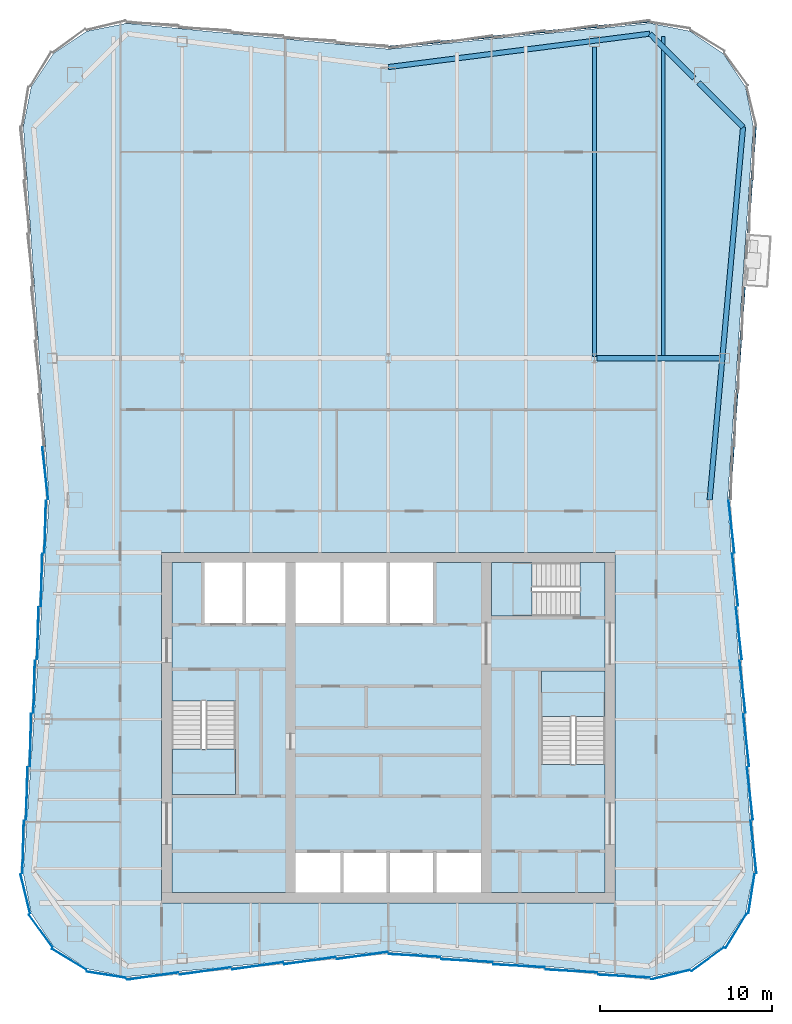
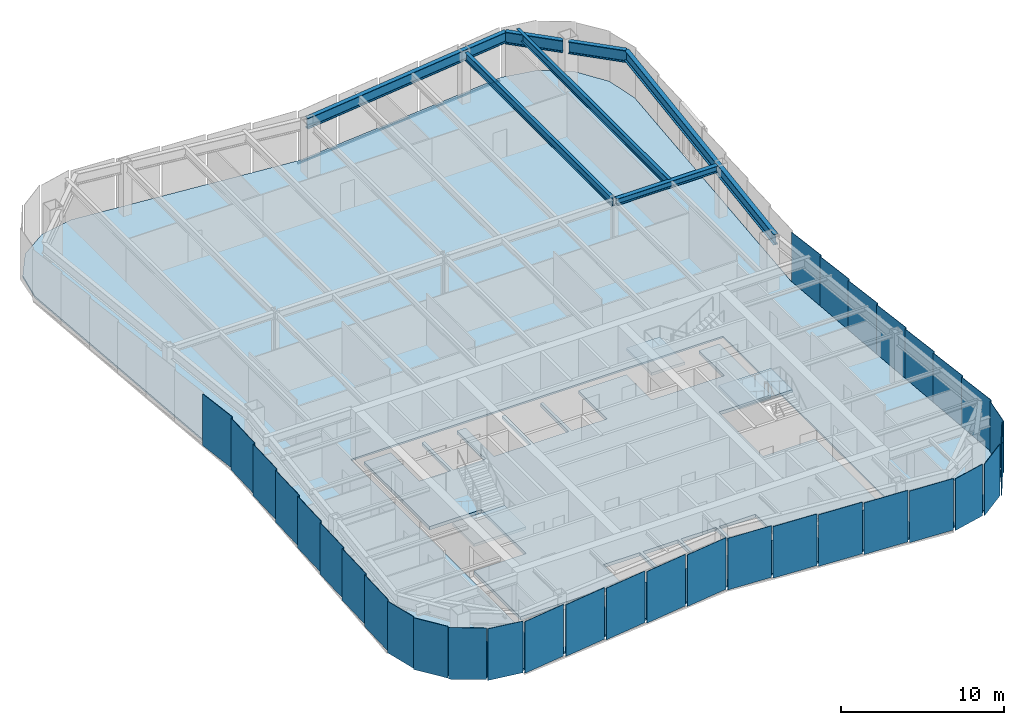
# One storey, part 4 of 10: 33 plates, 7 beams, 5 slabs, 3 members, 9 elements without a shape of their own.
"""IFC4 building model written with IfcOpenShell, lengths in metres."""

from ifc_helpers import new_model, si_unit, direction, frame, origin, origin_2d, place, context, subcontext, project, spatial, polyline, rectangle, i_section, outline, extrude, material, layer, layer_set, material_profile, profile_set, type_object, element, aggregate, save


model = new_model("IFC4")

# Units and contexts
model_context = context("Model", 3, precision=1e-05, world=origin(), true_north=direction((0.0, 1.0)))
body_context = subcontext(model_context, "Body", "Model", "MODEL_VIEW")
ifc_project = project(units=[si_unit("LENGTHUNIT", "METRE"), si_unit("AREAUNIT", "SQUARE_METRE"), si_unit("VOLUMEUNIT", "CUBIC_METRE"), si_unit("PLANEANGLEUNIT", "RADIAN"), si_unit("MASSUNIT", "GRAM", prefix="KILO")], contexts=[model_context])

# Site, building, storey
site_placement = place(None, origin())
site = spatial("IfcSite", under=ifc_project, at=site_placement, CompositionType="ELEMENT")
building_placement = place(site_placement, origin())
building = spatial("IfcBuilding", under=site, at=building_placement, Name="Verdant Reach Tower", CompositionType="ELEMENT")
storey_placement = place(building_placement, frame((0.0, 0.0, 322.0)))
storey = spatial("IfcBuildingStorey", under=building, at=storey_placement, Name="L74", CompositionType="ELEMENT", Elevation=322.0)

# Curtain wall, members
ifc_material_1 = material(Name="Anodised aluminium", Category="aluminium")
curtain_wall_type = type_object("IfcCurtainWallType", Name="EN-CW SYSTEM Z5", PredefinedType="NOTDEFINED", material=ifc_material_1)
curtain_wall_1_placement = place(storey_placement, origin())
curtain_wall_1 = element("IfcCurtainWall", 1, at=curtain_wall_1_placement, inside=storey, type_object=curtain_wall_type, Name="Curtain wall east, L74", PredefinedType="NOTDEFINED")
ifc_material_profile_1 = material_profile(ifc_material_1, rectangle(XDim=0.10009765625, YDim=0.1298828125, at=origin_2d()), Name="Transom 130x100")
ifc_profile_set_1 = profile_set([ifc_material_profile_1], Name="Anodised aluminium")
member_type = type_object("IfcMemberType", Name="EN-TRANSOM Z5", PredefinedType="USERDEFINED", material=ifc_profile_set_1)
member_1_placement = place(storey_placement, frame((19.867431640625, 41.284912109375, -0.284912109375), z_axis=(0.068823748892, 0.997628834582, 0.0), x_axis=(-0.997628834582, 0.068823748892, 0.0)))
member_1 = element("IfcMember", 2, at=member_1_placement, type_object=member_type, Name="Transom east face part 2 1.1, L74", ObjectType="TRANSOM", PredefinedType="USERDEFINED", context=body_context, shape_type="SweptSolid", body=[
    extrude(rectangle(XDim=0.10009765625, YDim=0.1298828125, at=origin_2d()), origin(), (0.0, 0.0, 1.0), 12.380126953125),
])
member_2_placement = place(storey_placement, frame((20.9384765625, 56.812744140625, -0.284912109375), z_axis=(0.068644672033, 0.997641172467, 0.0), x_axis=(-0.997641172467, 0.068644672033, 0.0)))
member_2 = element("IfcMember", 3, at=member_2_placement, type_object=member_type, Name="Transom east face part 2 2.1, L74", ObjectType="TRANSOM", PredefinedType="USERDEFINED", context=body_context, shape_type="SweptSolid", body=[
    extrude(rectangle(XDim=0.10009765625, YDim=0.1298828125, at=origin_2d()), origin(), (0.0, 0.0, 1.0), 6.17431640625),
])

# Curtain wall, member
curtain_wall_2_placement = place(storey_placement, origin())
curtain_wall_2 = element("IfcCurtainWall", 4, at=curtain_wall_2_placement, inside=storey, type_object=curtain_wall_type, Name="Curtain wall north, L74", PredefinedType="NOTDEFINED")
member_3_placement = place(storey_placement, frame((15.220703125, 69.111328125, -0.284912109375), z_axis=(-0.99520229006, -0.097838652171, 0.0), x_axis=(0.097838652171, -0.99520229006, 0.0)))
member_3 = element("IfcMember", 5, at=member_3_placement, type_object=member_type, Name="Transom north face part 1 1.1, L74", ObjectType="TRANSOM", PredefinedType="USERDEFINED", context=body_context, shape_type="SweptSolid", body=[
    extrude(rectangle(XDim=0.10009765625, YDim=0.1298828125, at=origin_2d()), origin(), (0.0, 0.0, 1.0), 15.259033203125),
])
aggregate(curtain_wall_2, [member_3])

# Beams
ifc_material_2 = material(Name="Steel S355", Category="steel")
ifc_material_profile_2 = material_profile(ifc_material_2, i_section(OverallWidth=0.300048828125, OverallDepth=0.489990234375, WebThickness=0.011962890625, FlangeThickness=0.02294921875, FilletRadius=0.027099609375, at=origin_2d()), Name="HEA 500")
ifc_profile_set_2 = profile_set([ifc_material_profile_2], Name="Steel S355")
beam_type_1 = type_object("IfcBeamType", Name="ST-BEAM-HEA500", PredefinedType="BEAM", material=ifc_profile_set_2)
beam_1_placement = place(storey_placement, frame((12.153076171875, 49.5, 3.625), z_axis=(1.0, 0.0, 0.0), x_axis=(0.0, 1.0, 0.0)))
element("IfcBeam", 6, at=beam_1_placement, inside=storey, type_object=beam_type_1, Name="Row girder, L74", PredefinedType="BEAM", context=body_context, shape_type="SweptSolid", body=[
    extrude(i_section(OverallWidth=0.300048828125, OverallDepth=0.489990234375, WebThickness=0.011962890625, FlangeThickness=0.02294921875, FilletRadius=0.027099609375, at=origin_2d()), origin(), (0.0, 0.0, 1.0), 7.115966796875),
])
ifc_material_profile_3 = material_profile(ifc_material_2, i_section(OverallWidth=0.219970703125, OverallDepth=0.60009765625, WebThickness=0.011962890625, FlangeThickness=0.01904296875, FilletRadius=0.02392578125, at=origin_2d()), Name="IPE 600")
ifc_profile_set_3 = profile_set([ifc_material_profile_3], Name="Steel S355")
beam_type_2 = type_object("IfcBeamType", Name="ST-JOIST-IPE600", PredefinedType="JOIST", material=ifc_profile_set_3)
beam_2_placement = place(storey_placement, frame((12.0, 49.60009765625, 3.570068359375), z_axis=(0.0, 1.0, 0.0), x_axis=(-1.0, 0.0, 0.0)))
element("IfcBeam", 7, at=beam_2_placement, inside=storey, type_object=beam_type_2, Name="Floor joist, L74", PredefinedType="JOIST", context=body_context, shape_type="SweptSolid", body=[
    extrude(i_section(OverallWidth=0.219970703125, OverallDepth=0.60009765625, WebThickness=0.011962890625, FlangeThickness=0.01904296875, FilletRadius=0.02392578125, at=origin_2d()), origin(), (0.0, 0.0, 1.0), 18.0302734375),
])
beam_3_placement = place(storey_placement, frame((16.0, 49.60009765625, 3.570068359375), z_axis=(0.0, 1.0, 0.0), x_axis=(-1.0, 0.0, 0.0)))
element("IfcBeam", 8, at=beam_3_placement, inside=storey, type_object=beam_type_2, Name="Floor joist, L74", PredefinedType="JOIST", context=body_context, shape_type="SweptSolid", body=[
    extrude(i_section(OverallWidth=0.219970703125, OverallDepth=0.60009765625, WebThickness=0.011962890625, FlangeThickness=0.01904296875, FilletRadius=0.02392578125, at=origin_2d()), origin(), (0.0, 0.0, 1.0), 18.638916015625),
])
ifc_material_profile_4 = material_profile(ifc_material_2, i_section(OverallWidth=0.300048828125, OverallDepth=0.800048828125, WebThickness=0.017578125, FlangeThickness=0.032958984375, FilletRadius=0.030029296875, at=origin_2d()), Name="HEB 800")
ifc_profile_set_4 = profile_set([ifc_material_profile_4], Name="Steel S355")
beam_type_3 = type_object("IfcBeamType", Name="ST-SPANDREL-HEB800", PredefinedType="SPANDREL", material=ifc_profile_set_4)
beam_4_placement = place(storey_placement, frame((0.0, 66.449951171875, 3.469970703125), z_axis=(0.991938889669, 0.126717162063, 0.0), x_axis=(-0.126717162063, 0.991938889669, 0.0)))
element("IfcBeam", 9, at=beam_4_placement, inside=storey, type_object=beam_type_3, Name="Edge beam, L74", PredefinedType="SPANDREL", context=body_context, shape_type="SweptSolid", body=[
    extrude(i_section(OverallWidth=0.300048828125, OverallDepth=0.800048828125, WebThickness=0.017578125, FlangeThickness=0.032958984375, FilletRadius=0.030029296875, at=origin_2d()), origin(), (0.0, 0.0, 1.0), 15.343994140625),
])
beam_5_placement = place(storey_placement, frame((20.64599609375, 62.96142578125, 3.469970703125), z_axis=(-0.089274399498, -0.996007069048, 0.0), x_axis=(0.996007069048, -0.089274399498, 0.0)))
element("IfcBeam", 10, at=beam_5_placement, inside=storey, type_object=beam_type_3, Name="Edge beam, L74", PredefinedType="SPANDREL", context=body_context, shape_type="SweptSolid", body=[
    extrude(i_section(OverallWidth=0.300048828125, OverallDepth=0.800048828125, WebThickness=0.017578125, FlangeThickness=0.032958984375, FilletRadius=0.030029296875, at=origin_2d()), origin(), (0.0, 0.0, 1.0), 21.798583984375),
])
ifc_material_profile_5 = material_profile(ifc_material_2, i_section(OverallWidth=0.302001953125, OverallDepth=0.909912109375, WebThickness=0.02099609375, FlangeThickness=0.0400390625, FilletRadius=0.030029296875, at=origin_2d()), Name="HEM 900")
ifc_profile_set_5 = profile_set([ifc_material_profile_5], Name="Steel S355")
beam_type_4 = type_object("IfcBeamType", Name="ST-SPANDREL-HEM900", PredefinedType="SPANDREL", material=ifc_profile_set_5)
beam_6_placement = place(storey_placement, frame((15.22021484375, 68.394287109375, 3.4150390625), z_axis=(0.706638520854, -0.707574731632, 0.0), x_axis=(0.707574731632, 0.706638520854, 0.0)))
element("IfcBeam", 11, at=beam_6_placement, inside=storey, type_object=beam_type_4, Name="Edge beam, L74", PredefinedType="SPANDREL", context=body_context, shape_type="SweptSolid", body=[
    extrude(i_section(OverallWidth=0.302001953125, OverallDepth=0.909912109375, WebThickness=0.02099609375, FlangeThickness=0.0400390625, FilletRadius=0.030029296875, at=origin_2d()), origin(), (0.0, 0.0, 1.0), 3.65087890625),
])
beam_7_placement = place(storey_placement, frame((18.060791015625, 65.550048828125, 3.4150390625), z_axis=(0.706639493403, -0.707573760369, 0.0), x_axis=(0.707573760369, 0.706639493403, 0.0)))
element("IfcBeam", 12, at=beam_7_placement, inside=storey, type_object=beam_type_4, Name="Edge beam, L74", PredefinedType="SPANDREL", context=body_context, shape_type="SweptSolid", body=[
    extrude(i_section(OverallWidth=0.302001953125, OverallDepth=0.909912109375, WebThickness=0.02099609375, FlangeThickness=0.0400390625, FilletRadius=0.030029296875, at=origin_2d()), origin(), (0.0, 0.0, 1.0), 3.658447265625),
])

# Stair, slab
ifc_material_3 = material(Name="Concrete C40/50", Category="concrete")
stair_type = type_object("IfcStairType", Name="CO-STAIR", PredefinedType="HALF_TURN_STAIR", material=ifc_material_3)
stair_1_placement = place(storey_placement, origin())
stair_1 = element("IfcStair", 13, at=stair_1_placement, inside=storey, type_object=stair_type, Name="L74 Exit stair 1", PredefinedType="HALF_TURN_STAIR")
ifc_layer_1 = layer(ifc_material_3, 0.199951171875)
ifc_layer_set_1 = layer_set([ifc_layer_1], Name="CO-STAIR-LANDING")
slab_type_1 = type_object("IfcSlabType", Name="CO-STAIR-LANDING", PredefinedType="LANDING", material=ifc_layer_set_1)
slab_1_placement = place(storey_placement, frame((0.0, 0.0, 1.800048828125)))
slab_1 = element("IfcSlab", 14, at=slab_1_placement, type_object=slab_type_1, Name="ST-1 landing 1", PredefinedType="LANDING", context=body_context, shape_type="SweptSolid", body=[
    extrude(outline(polyline([(-12.60009765625, 26.75), (-12.60009765625, 24.10009765625), (-8.89990234375, 24.10009765625), (-8.89990234375, 26.75), (-12.60009765625, 26.75)])), origin(), (0.0, 0.0, 1.0), 0.199951171875),
])
aggregate(stair_1, [slab_1])

stair_2_placement = place(storey_placement, origin())
stair_2 = element("IfcStair", 15, at=stair_2_placement, inside=storey, type_object=stair_type, Name="L74 Exit stair 2", PredefinedType="HALF_TURN_STAIR")
slab_2_placement = place(storey_placement, frame((0.0, 0.0, 1.800048828125)))
slab_2 = element("IfcSlab", 16, at=slab_2_placement, type_object=slab_type_1, Name="ST-2 landing 1", PredefinedType="LANDING", context=body_context, shape_type="SweptSolid", body=[
    extrude(outline(polyline([(12.60009765625, 28.64990234375), (12.60009765625, 31.300048828125), (8.89990234375, 31.300048828125), (8.89990234375, 28.64990234375), (12.60009765625, 28.64990234375)])), origin(), (0.0, 0.0, 1.0), 0.199951171875),
])
aggregate(stair_2, [slab_2])

stair_3_placement = place(storey_placement, origin())
stair_3 = element("IfcStair", 17, at=stair_3_placement, inside=storey, type_object=stair_type, Name="L74 Exit stair 3", PredefinedType="HALF_TURN_STAIR")
slab_3_placement = place(storey_placement, frame((0.0, 0.0, 1.800048828125)))
slab_3 = element("IfcSlab", 18, at=slab_3_placement, type_object=slab_type_1, Name="ST-3 landing 1", PredefinedType="LANDING", context=body_context, shape_type="SweptSolid", body=[
    extrude(outline(polyline([(8.35009765625, 37.60009765625), (6.0, 37.60009765625), (6.0, 34.5), (8.35009765625, 34.5), (8.35009765625, 37.60009765625)])), origin(), (0.0, 0.0, 1.0), 0.199951171875),
])
aggregate(stair_3, [slab_3])

# Curtain wall, plates
curtain_wall_3_placement = place(storey_placement, origin())
curtain_wall_3 = element("IfcCurtainWall", 19, at=curtain_wall_3_placement, inside=storey, type_object=curtain_wall_type, Name="Curtain wall south-east corner, L74", PredefinedType="NOTDEFINED")
ifc_material_4 = material(Name="Tinted glass with champagne spandrel", Category="glass")
ifc_layer_2 = layer(ifc_material_4, 0.031982421875)
ifc_layer_set_2 = layer_set([ifc_layer_2], Name="EN-PANEL CHAMPAGNE")
plate_type_1 = type_object("IfcPlateType", Name="EN-PANEL CHAMPAGNE", PredefinedType="CURTAIN_PANEL", material=ifc_layer_set_2)
plate_1_placement = place(storey_placement, frame((16.4228515625, 13.61767578125, -0.219970703125), z_axis=(0.0, 0.0, 1.0), x_axis=(0.971661765526, 0.236375577028, 0.0)))
plate_1 = element("IfcPlate", 20, at=plate_1_placement, type_object=plate_type_1, Name="Glass panel south-east corner 1.1, L74", PredefinedType="CURTAIN_PANEL", context=body_context, shape_type="SweptSolid", body=[
    extrude(rectangle(XDim=2.314453125, YDim=0.031982421875, at=origin_2d()), origin(), (0.0, 0.0, 1.0), 3.8701171875),
])
plate_2_placement = place(storey_placement, frame((18.58203125, 14.51318359375, -0.219970703125), z_axis=(0.0, 0.0, 1.0), x_axis=(0.807456783236, 0.58992672698, 0.0)))
plate_2 = element("IfcPlate", 21, at=plate_2_placement, type_object=plate_type_1, Name="Glass panel south-east corner 2.1, L74", PredefinedType="CURTAIN_PANEL", context=body_context, shape_type="SweptSolid", body=[
    extrude(rectangle(XDim=2.320068359375, YDim=0.031982421875, at=origin_2d()), origin(), (0.0, 0.0, 1.0), 3.8701171875),
])

# Plate
plate_3_placement = place(storey_placement, frame((20.18603515625, 36.59716796875, -0.219970703125), z_axis=(0.0, 0.0, 1.0), x_axis=(-0.110518162674, 0.993874104562, 0.0)))
plate_3 = element("IfcPlate", 22, at=plate_3_placement, type_object=plate_type_1, Name="Glass panel east face part 1 6.1, L74", PredefinedType="CURTAIN_PANEL", context=body_context, shape_type="SweptSolid", body=[
    extrude(rectangle(XDim=3.048583984375, YDim=0.031982421875, at=origin_2d()), origin(), (0.0, 0.0, 1.0), 3.8701171875),
])

plate_4_placement = place(storey_placement, frame((19.971923828125, 39.700439453125, -0.219970703125), z_axis=(0.0, 0.0, 1.0), x_axis=(-0.110605344993, 0.993864406073, 0.0)))
plate_4 = element("IfcPlate", 23, at=plate_4_placement, type_object=plate_type_1, Name="Glass panel east face part 1 7.1, L74", PredefinedType="CURTAIN_PANEL", context=body_context, shape_type="SweptSolid", body=[
    extrude(rectangle(XDim=3.04052734375, YDim=0.031982421875, at=origin_2d()), origin(), (0.0, 0.0, 1.0), 3.8701171875),
])

# Curtain wall, plates
curtain_wall_4_placement = place(storey_placement, origin())
curtain_wall_4 = element("IfcCurtainWall", 24, at=curtain_wall_4_placement, inside=storey, type_object=curtain_wall_type, Name="Curtain wall west, L74", PredefinedType="NOTDEFINED")
plate_5_placement = place(storey_placement, frame((-20.61474609375, 30.3828125, -0.219970703125), z_axis=(0.0, 0.0, 1.0), x_axis=(-0.026965318308, -0.999636369691, 0.0)))
plate_5 = element("IfcPlate", 25, at=plate_5_placement, type_object=plate_type_1, Name="Glass panel west face part 2 4.1, L74", PredefinedType="CURTAIN_PANEL", context=body_context, shape_type="SweptSolid", body=[
    extrude(rectangle(XDim=3.048583984375, YDim=0.031982421875, at=origin_2d()), origin(), (0.0, 0.0, 1.0), 3.8701171875),
])
plate_6_placement = place(storey_placement, frame((-20.8291015625, 27.27587890625, -0.219970703125), z_axis=(0.0, 0.0, 1.0), x_axis=(-0.026965318308, -0.999636369691, 0.0)))
plate_6 = element("IfcPlate", 26, at=plate_6_placement, type_object=plate_type_1, Name="Glass panel west face part 2 5.1, L74", PredefinedType="CURTAIN_PANEL", context=body_context, shape_type="SweptSolid", body=[
    extrude(rectangle(XDim=3.048583984375, YDim=0.031982421875, at=origin_2d()), origin(), (0.0, 0.0, 1.0), 3.8701171875),
])
plate_7_placement = place(storey_placement, frame((-21.043212890625, 24.168701171875, -0.219970703125), z_axis=(0.0, 0.0, 1.0), x_axis=(-0.026965318308, -0.999636369691, 0.0)))
plate_7 = element("IfcPlate", 27, at=plate_7_placement, type_object=plate_type_1, Name="Glass panel west face part 2 6.1, L74", PredefinedType="CURTAIN_PANEL", context=body_context, shape_type="SweptSolid", body=[
    extrude(rectangle(XDim=3.048583984375, YDim=0.031982421875, at=origin_2d()), origin(), (0.0, 0.0, 1.0), 3.8701171875),
])

curtain_wall_5_placement = place(storey_placement, origin())
curtain_wall_5 = element("IfcCurtainWall", 28, at=curtain_wall_5_placement, inside=storey, type_object=curtain_wall_type, Name="Curtain wall south-west corner, L74", PredefinedType="NOTDEFINED")
plate_8_placement = place(storey_placement, frame((-18.58203125, 14.51318359375, -0.219970703125), z_axis=(0.0, 0.0, 1.0), x_axis=(0.853988714885, -0.520291528711, 0.0)))
plate_8 = element("IfcPlate", 29, at=plate_8_placement, type_object=plate_type_1, Name="Glass panel south-west corner 3.1, L74", PredefinedType="CURTAIN_PANEL", context=body_context, shape_type="SweptSolid", body=[
    extrude(rectangle(XDim=2.320068359375, YDim=0.031982421875, at=origin_2d()), origin(), (0.0, 0.0, 1.0), 3.8701171875),
])
plate_9_placement = place(storey_placement, frame((-16.4228515625, 13.61767578125, -0.219970703125), z_axis=(0.0, 0.0, 1.0), x_axis=(0.988033409454, -0.154240013621, 0.0)))
plate_9 = element("IfcPlate", 30, at=plate_9_placement, type_object=plate_type_1, Name="Glass panel south-west corner 4.1, L74", PredefinedType="CURTAIN_PANEL", context=body_context, shape_type="SweptSolid", body=[
    extrude(rectangle(XDim=2.314453125, YDim=0.031982421875, at=origin_2d()), origin(), (0.0, 0.0, 1.0), 3.8701171875),
])

curtain_wall_6_placement = place(storey_placement, origin())
curtain_wall_6 = element("IfcCurtainWall", 31, at=curtain_wall_6_placement, inside=storey, type_object=curtain_wall_type, Name="Curtain wall south, L74", PredefinedType="NOTDEFINED")
plate_10_placement = place(storey_placement, frame((-13.72216796875, 13.535400390625, -0.219970703125), z_axis=(0.0, 0.0, 1.0), x_axis=(0.990281521639, 0.139077345032, 0.0)))
plate_10 = element("IfcPlate", 32, at=plate_10_placement, type_object=plate_type_1, Name="Glass panel south face part 1 1.1, L74", PredefinedType="CURTAIN_PANEL", context=body_context, shape_type="SweptSolid", body=[
    extrude(rectangle(XDim=3.015625, YDim=0.031982421875, at=origin_2d()), origin(), (0.0, 0.0, 1.0), 3.8701171875),
])
plate_11_placement = place(storey_placement, frame((-10.663818359375, 13.83544921875, -0.219970703125), z_axis=(0.0, 0.0, 1.0), x_axis=(0.990225318365, 0.139476947446, 0.0)))
plate_11 = element("IfcPlate", 33, at=plate_11_placement, type_object=plate_type_1, Name="Glass panel south face part 1 2.1, L74", PredefinedType="CURTAIN_PANEL", context=body_context, shape_type="SweptSolid", body=[
    extrude(rectangle(XDim=2.998779296875, YDim=0.031982421875, at=origin_2d()), origin(), (0.0, 0.0, 1.0), 3.8701171875),
])
plate_12_placement = place(storey_placement, frame((4.563720703125, 14.435546875, -0.219970703125), z_axis=(0.0, 0.0, 1.0), x_axis=(0.998423588956, -0.056127863106, 0.0)))
plate_12 = element("IfcPlate", 34, at=plate_12_placement, type_object=plate_type_1, Name="Glass panel south face part 2 2.1, L74", PredefinedType="CURTAIN_PANEL", context=body_context, shape_type="SweptSolid", body=[
    extrude(rectangle(XDim=2.998779296875, YDim=0.031982421875, at=origin_2d()), origin(), (0.0, 0.0, 1.0), 3.8701171875),
])
plate_13_placement = place(storey_placement, frame((7.61376953125, 14.135498046875, -0.219970703125), z_axis=(0.0, 0.0, 1.0), x_axis=(0.998423588956, -0.056127863106, 0.0)))
plate_13 = element("IfcPlate", 35, at=plate_13_placement, type_object=plate_type_1, Name="Glass panel south face part 2 3.1, L74", PredefinedType="CURTAIN_PANEL", context=body_context, shape_type="SweptSolid", body=[
    extrude(rectangle(XDim=2.998779296875, YDim=0.031982421875, at=origin_2d()), origin(), (0.0, 0.0, 1.0), 3.8701171875),
])

# Plate
ifc_material_5 = material(Name="Tinted glass with copper spandrel", Category="glass")
ifc_layer_3 = layer(ifc_material_5, 0.031982421875)
ifc_layer_set_3 = layer_set([ifc_layer_3], Name="EN-PANEL COPPER")
plate_type_2 = type_object("IfcPlateType", Name="EN-PANEL COPPER", PredefinedType="CURTAIN_PANEL", material=ifc_layer_set_3)
plate_14_placement = place(storey_placement, frame((20.23681640625, 16.16796875, -0.219970703125), z_axis=(0.0, 0.0, 1.0), x_axis=(0.520291528711, 0.853988714885, 0.0)))
plate_14 = element("IfcPlate", 36, at=plate_14_placement, type_object=plate_type_2, Name="Glass panel south-east corner 3.1, L74", PredefinedType="CURTAIN_PANEL", context=body_context, shape_type="SweptSolid", body=[
    extrude(rectangle(XDim=2.320068359375, YDim=0.031982421875, at=origin_2d()), origin(), (0.0, 0.0, 1.0), 3.8701171875),
])

plate_15_placement = place(storey_placement, frame((21.132080078125, 18.326171875, -0.219970703125), z_axis=(0.0, 0.0, 1.0), x_axis=(0.154337499461, 0.988018186199, 0.0)))
plate_15 = element("IfcPlate", 37, at=plate_15_placement, type_object=plate_type_2, Name="Glass panel south-east corner 4.1, L74", PredefinedType="CURTAIN_PANEL", context=body_context, shape_type="SweptSolid", body=[
    extrude(rectangle(XDim=2.312744140625, YDim=0.031982421875, at=origin_2d()), origin(), (0.0, 0.0, 1.0), 3.8701171875),
])

aggregate(curtain_wall_3, [plate_1, plate_2, plate_14, plate_15])

plate_16_placement = place(storey_placement, frame((21.257568359375, 21.053955078125, -0.219970703125), z_axis=(0.0, 0.0, 1.0), x_axis=(-0.110197580247, 0.993909700782, 0.0)))
plate_16 = element("IfcPlate", 38, at=plate_16_placement, type_object=plate_type_2, Name="Glass panel east face part 1 1.1, L74", PredefinedType="CURTAIN_PANEL", context=body_context, shape_type="SweptSolid", body=[
    extrude(rectangle(XDim=3.063720703125, YDim=0.031982421875, at=origin_2d()), origin(), (0.0, 0.0, 1.0), 3.8701171875),
])

plate_17_placement = place(storey_placement, frame((21.043212890625, 24.168701171875, -0.219970703125), z_axis=(0.0, 0.0, 1.0), x_axis=(-0.110518162674, 0.993874104562, 0.0)))
plate_17 = element("IfcPlate", 39, at=plate_17_placement, type_object=plate_type_2, Name="Glass panel east face part 1 2.1, L74", PredefinedType="CURTAIN_PANEL", context=body_context, shape_type="SweptSolid", body=[
    extrude(rectangle(XDim=3.048583984375, YDim=0.031982421875, at=origin_2d()), origin(), (0.0, 0.0, 1.0), 3.8701171875),
])

plate_18_placement = place(storey_placement, frame((20.8291015625, 27.27587890625, -0.219970703125), z_axis=(0.0, 0.0, 1.0), x_axis=(-0.110518162674, 0.993874104562, 0.0)))
plate_18 = element("IfcPlate", 40, at=plate_18_placement, type_object=plate_type_2, Name="Glass panel east face part 1 3.1, L74", PredefinedType="CURTAIN_PANEL", context=body_context, shape_type="SweptSolid", body=[
    extrude(rectangle(XDim=3.048583984375, YDim=0.031982421875, at=origin_2d()), origin(), (0.0, 0.0, 1.0), 3.8701171875),
])

plate_19_placement = place(storey_placement, frame((-19.971923828125, 42.799560546875, -0.219970703125), z_axis=(0.0, 0.0, 1.0), x_axis=(0.110605344993, -0.993864406073, 0.0)))
plate_19 = element("IfcPlate", 41, at=plate_19_placement, type_object=plate_type_2, Name="Glass panel west face part 1 7.1, L74", PredefinedType="CURTAIN_PANEL", context=body_context, shape_type="SweptSolid", body=[
    extrude(rectangle(XDim=3.04052734375, YDim=0.031982421875, at=origin_2d()), origin(), (0.0, 0.0, 1.0), 3.8701171875),
])

plate_20_placement = place(storey_placement, frame((-19.971923828125, 39.700439453125, -0.219970703125), z_axis=(0.0, 0.0, 1.0), x_axis=(-0.027053006415, -0.999634000444, 0.0)))
plate_20 = element("IfcPlate", 42, at=plate_20_placement, type_object=plate_type_2, Name="Glass panel west face part 2 1.1, L74", PredefinedType="CURTAIN_PANEL", context=body_context, shape_type="SweptSolid", body=[
    extrude(rectangle(XDim=3.04052734375, YDim=0.031982421875, at=origin_2d()), origin(), (0.0, 0.0, 1.0), 3.8701171875),
])

plate_21_placement = place(storey_placement, frame((-21.257568359375, 21.053955078125, -0.219970703125), z_axis=(0.0, 0.0, 1.0), x_axis=(-0.026642881595, -0.999645015423, 0.0)))
plate_21 = element("IfcPlate", 43, at=plate_21_placement, type_object=plate_type_2, Name="Glass panel west face part 2 7.1, L74", PredefinedType="CURTAIN_PANEL", context=body_context, shape_type="SweptSolid", body=[
    extrude(rectangle(XDim=3.063720703125, YDim=0.031982421875, at=origin_2d()), origin(), (0.0, 0.0, 1.0), 3.8701171875),
])

plate_22_placement = place(storey_placement, frame((-7.61376953125, 14.135498046875, -0.219970703125), z_axis=(0.0, 0.0, 1.0), x_axis=(0.990225318365, 0.139476947446, 0.0)))
plate_22 = element("IfcPlate", 44, at=plate_22_placement, type_object=plate_type_2, Name="Glass panel south face part 1 3.1, L74", PredefinedType="CURTAIN_PANEL", context=body_context, shape_type="SweptSolid", body=[
    extrude(rectangle(XDim=2.998779296875, YDim=0.031982421875, at=origin_2d()), origin(), (0.0, 0.0, 1.0), 3.8701171875),
])

plate_23_placement = place(storey_placement, frame((-4.563720703125, 14.435546875, -0.219970703125), z_axis=(0.0, 0.0, 1.0), x_axis=(0.990225318365, 0.139476947446, 0.0)))
plate_23 = element("IfcPlate", 45, at=plate_23_placement, type_object=plate_type_2, Name="Glass panel south face part 1 4.1, L74", PredefinedType="CURTAIN_PANEL", context=body_context, shape_type="SweptSolid", body=[
    extrude(rectangle(XDim=2.998779296875, YDim=0.031982421875, at=origin_2d()), origin(), (0.0, 0.0, 1.0), 3.8701171875),
])

plate_24_placement = place(storey_placement, frame((10.663818359375, 13.83544921875, -0.219970703125), z_axis=(0.0, 0.0, 1.0), x_axis=(0.998423588956, -0.056127863106, 0.0)))
plate_24 = element("IfcPlate", 46, at=plate_24_placement, type_object=plate_type_2, Name="Glass panel south face part 2 4.1, L74", PredefinedType="CURTAIN_PANEL", context=body_context, shape_type="SweptSolid", body=[
    extrude(rectangle(XDim=2.998779296875, YDim=0.031982421875, at=origin_2d()), origin(), (0.0, 0.0, 1.0), 3.8701171875),
])

plate_25_placement = place(storey_placement, frame((13.72216796875, 13.535400390625, -0.219970703125), z_axis=(0.0, 0.0, 1.0), x_axis=(0.998446157248, -0.055724959185, 0.0)))
plate_25 = element("IfcPlate", 47, at=plate_25_placement, type_object=plate_type_2, Name="Glass panel south face part 2 5.1, L74", PredefinedType="CURTAIN_PANEL", context=body_context, shape_type="SweptSolid", body=[
    extrude(rectangle(XDim=3.015625, YDim=0.031982421875, at=origin_2d()), origin(), (0.0, 0.0, 1.0), 3.8701171875),
])

ifc_material_6 = material(Name="Tinted glass with dark bronze spandrel", Category="glass")
ifc_layer_4 = layer(ifc_material_6, 0.031982421875)
ifc_layer_set_4 = layer_set([ifc_layer_4], Name="EN-PANEL DARK")
plate_type_3 = type_object("IfcPlateType", Name="EN-PANEL DARK", PredefinedType="CURTAIN_PANEL", material=ifc_layer_set_4)
plate_26_placement = place(storey_placement, frame((20.61474609375, 30.3828125, -0.219970703125), z_axis=(0.0, 0.0, 1.0), x_axis=(-0.110518162674, 0.993874104562, 0.0)))
plate_26 = element("IfcPlate", 48, at=plate_26_placement, type_object=plate_type_3, Name="Glass panel east face part 1 4.1, L74", PredefinedType="CURTAIN_PANEL", context=body_context, shape_type="SweptSolid", body=[
    extrude(rectangle(XDim=3.048583984375, YDim=0.031982421875, at=origin_2d()), origin(), (0.0, 0.0, 1.0), 3.8701171875),
])

plate_27_placement = place(storey_placement, frame((20.400390625, 33.489990234375, -0.219970703125), z_axis=(0.0, 0.0, 1.0), x_axis=(-0.110518162674, 0.993874104562, 0.0)))
plate_27 = element("IfcPlate", 49, at=plate_27_placement, type_object=plate_type_3, Name="Glass panel east face part 1 5.1, L74", PredefinedType="CURTAIN_PANEL", context=body_context, shape_type="SweptSolid", body=[
    extrude(rectangle(XDim=3.048583984375, YDim=0.031982421875, at=origin_2d()), origin(), (0.0, 0.0, 1.0), 3.8701171875),
])

aggregate(curtain_wall_1, [plate_16, plate_17, plate_18, plate_26, plate_27, plate_3, plate_4, member_1, member_2])

plate_28_placement = place(storey_placement, frame((-20.18603515625, 36.59716796875, -0.219970703125), z_axis=(0.0, 0.0, 1.0), x_axis=(-0.026965318308, -0.999636369691, 0.0)))
plate_28 = element("IfcPlate", 50, at=plate_28_placement, type_object=plate_type_3, Name="Glass panel west face part 2 2.1, L74", PredefinedType="CURTAIN_PANEL", context=body_context, shape_type="SweptSolid", body=[
    extrude(rectangle(XDim=3.048583984375, YDim=0.031982421875, at=origin_2d()), origin(), (0.0, 0.0, 1.0), 3.8701171875),
])

plate_29_placement = place(storey_placement, frame((-20.400390625, 33.489990234375, -0.219970703125), z_axis=(0.0, 0.0, 1.0), x_axis=(-0.026965318308, -0.999636369691, 0.0)))
plate_29 = element("IfcPlate", 51, at=plate_29_placement, type_object=plate_type_3, Name="Glass panel west face part 2 3.1, L74", PredefinedType="CURTAIN_PANEL", context=body_context, shape_type="SweptSolid", body=[
    extrude(rectangle(XDim=3.048583984375, YDim=0.031982421875, at=origin_2d()), origin(), (0.0, 0.0, 1.0), 3.8701171875),
])

aggregate(curtain_wall_4, [plate_19, plate_20, plate_28, plate_29, plate_5, plate_6, plate_7, plate_21])

plate_30_placement = place(storey_placement, frame((-21.132080078125, 18.326171875, -0.219970703125), z_axis=(0.0, 0.0, 1.0), x_axis=(0.236471447122, -0.971638438256, 0.0)))
plate_30 = element("IfcPlate", 52, at=plate_30_placement, type_object=plate_type_3, Name="Glass panel south-west corner 1.1, L74", PredefinedType="CURTAIN_PANEL", context=body_context, shape_type="SweptSolid", body=[
    extrude(rectangle(XDim=2.312744140625, YDim=0.031982421875, at=origin_2d()), origin(), (0.0, 0.0, 1.0), 3.8701171875),
])

plate_31_placement = place(storey_placement, frame((-20.23681640625, 16.16796875, -0.219970703125), z_axis=(0.0, 0.0, 1.0), x_axis=(0.58992672698, -0.807456783236, 0.0)))
plate_31 = element("IfcPlate", 53, at=plate_31_placement, type_object=plate_type_3, Name="Glass panel south-west corner 2.1, L74", PredefinedType="CURTAIN_PANEL", context=body_context, shape_type="SweptSolid", body=[
    extrude(rectangle(XDim=2.320068359375, YDim=0.031982421875, at=origin_2d()), origin(), (0.0, 0.0, 1.0), 3.8701171875),
])

aggregate(curtain_wall_5, [plate_30, plate_31, plate_8, plate_9])

plate_32_placement = place(storey_placement, frame((-1.519287109375, 14.7353515625, -0.219970703125), z_axis=(0.0, 0.0, 1.0), x_axis=(0.990200074141, 0.139656053116, 0.0)))
plate_32 = element("IfcPlate", 54, at=plate_32_placement, type_object=plate_type_3, Name="Glass panel south face part 1 5.1, L74", PredefinedType="CURTAIN_PANEL", context=body_context, shape_type="SweptSolid", body=[
    extrude(rectangle(XDim=2.987548828125, YDim=0.031982421875, at=origin_2d()), origin(), (0.0, 0.0, 1.0), 3.8701171875),
])

plate_33_placement = place(storey_placement, frame((1.519287109375, 14.7353515625, -0.219970703125), z_axis=(0.0, 0.0, 1.0), x_axis=(0.998413420442, -0.05630845301, 0.0)))
plate_33 = element("IfcPlate", 55, at=plate_33_placement, type_object=plate_type_3, Name="Glass panel south face part 2 1.1, L74", PredefinedType="CURTAIN_PANEL", context=body_context, shape_type="SweptSolid", body=[
    extrude(rectangle(XDim=2.987548828125, YDim=0.031982421875, at=origin_2d()), origin(), (0.0, 0.0, 1.0), 3.8701171875),
])

aggregate(curtain_wall_6, [plate_10, plate_11, plate_22, plate_23, plate_32, plate_33, plate_12, plate_13, plate_24, plate_25])

# Slabs
ifc_material_7 = material(Name="Concrete C35/45", Category="concrete")
ifc_layer_5 = layer(ifc_material_7, 0.1298828125)
ifc_layer_set_5 = layer_set([ifc_layer_5], Name="ST-SLAB-130")
slab_type_2 = type_object("IfcSlabType", Name="ST-SLAB-130", PredefinedType="FLOOR", material=ifc_layer_set_5)
slab_4_placement = place(storey_placement, frame((0.0, 0.0, -0.1298828125)))
element("IfcSlab", 56, at=slab_4_placement, inside=storey, type_object=slab_type_2, Name="Floor slab L74", PredefinedType="FLOOR", context=body_context, shape_type="SweptSolid", body=[
    extrude(outline(polyline([(0.0, 15.0), (-15.25, 13.5), (-17.546142578125, 13.956787109375), (-19.49267578125, 15.25732421875), (-20.793212890625, 17.203857421875), (-21.25, 19.5), (-19.75, 41.25), (-21.25, 63.0), (-20.793212890625, 65.296142578125), (-19.49267578125, 67.24267578125), (-17.546142578125, 68.543212890625), (-15.25, 69.0), (0.0, 67.5), (15.25, 69.0), (17.546142578125, 68.543212890625), (19.49267578125, 67.24267578125), (20.793212890625, 65.296142578125), (21.25, 63.0), (19.75, 41.25), (21.25, 19.5), (20.793212890625, 17.203857421875), (19.49267578125, 15.25732421875), (17.546142578125, 13.956787109375), (15.25, 13.5), (0.0, 15.0)]), holes=[polyline([(13.199951171875, 38.199951171875), (-13.199951171875, 38.199951171875), (-13.199951171875, 17.800048828125), (13.199951171875, 17.800048828125), (13.199951171875, 38.199951171875)])]), origin(), (0.0, 0.0, 1.0), 0.1298828125),
])
ifc_layer_6 = layer(ifc_material_7, 0.25)
ifc_layer_set_6 = layer_set([ifc_layer_6], Name="ST-SLAB-250")
slab_type_3 = type_object("IfcSlabType", Name="ST-SLAB-250", PredefinedType="FLOOR", material=ifc_layer_set_6)
slab_5_placement = place(storey_placement, frame((0.0, 0.0, -0.25)))
element("IfcSlab", 57, at=slab_5_placement, inside=storey, type_object=slab_type_3, Name="Core floor slab L74", PredefinedType="FLOOR", context=body_context, shape_type="SweptSolid", body=[
    extrude(outline(polyline([(12.60009765625, 18.39990234375), (5.39990234375, 18.39990234375), (5.39990234375, 20.699951171875), (2.800048828125, 20.699951171875), (2.800048828125, 18.39990234375), (2.60009765625, 18.39990234375), (2.60009765625, 20.699951171875), (0.10009765625, 20.699951171875), (0.10009765625, 18.39990234375), (-0.10009765625, 18.39990234375), (-0.10009765625, 20.699951171875), (-2.60009765625, 20.699951171875), (-2.60009765625, 18.39990234375), (-2.800048828125, 18.39990234375), (-2.800048828125, 20.699951171875), (-5.39990234375, 20.699951171875), (-5.39990234375, 18.39990234375), (-12.60009765625, 18.39990234375), (-12.60009765625, 24.10009765625), (-8.89990234375, 24.10009765625), (-8.89990234375, 29.548095703125), (-12.60009765625, 29.548095703125), (-12.60009765625, 37.60009765625), (-10.699951171875, 37.60009765625), (-10.699951171875, 34.10009765625), (-8.5, 34.10009765625), (-8.5, 37.60009765625), (-8.300048828125, 37.60009765625), (-8.300048828125, 34.10009765625), (-6.0, 34.10009765625), (-6.0, 37.60009765625), (-5.39990234375, 37.60009765625), (-5.39990234375, 34.10009765625), (-2.800048828125, 34.10009765625), (-2.800048828125, 37.60009765625), (-2.60009765625, 37.60009765625), (-2.60009765625, 34.10009765625), (-0.10009765625, 34.10009765625), (-0.10009765625, 37.60009765625), (0.10009765625, 37.60009765625), (0.10009765625, 34.10009765625), (2.60009765625, 34.10009765625), (2.60009765625, 37.60009765625), (6.0, 37.60009765625), (6.0, 34.5), (11.14794921875, 34.5), (11.14794921875, 37.60009765625), (12.60009765625, 37.60009765625), (12.60009765625, 31.300048828125), (8.89990234375, 31.300048828125), (8.89990234375, 25.85205078125), (12.60009765625, 25.85205078125), (12.60009765625, 18.39990234375)])), origin(), (0.0, 0.0, 1.0), 0.25),
])

save(model, "model.ifc")
